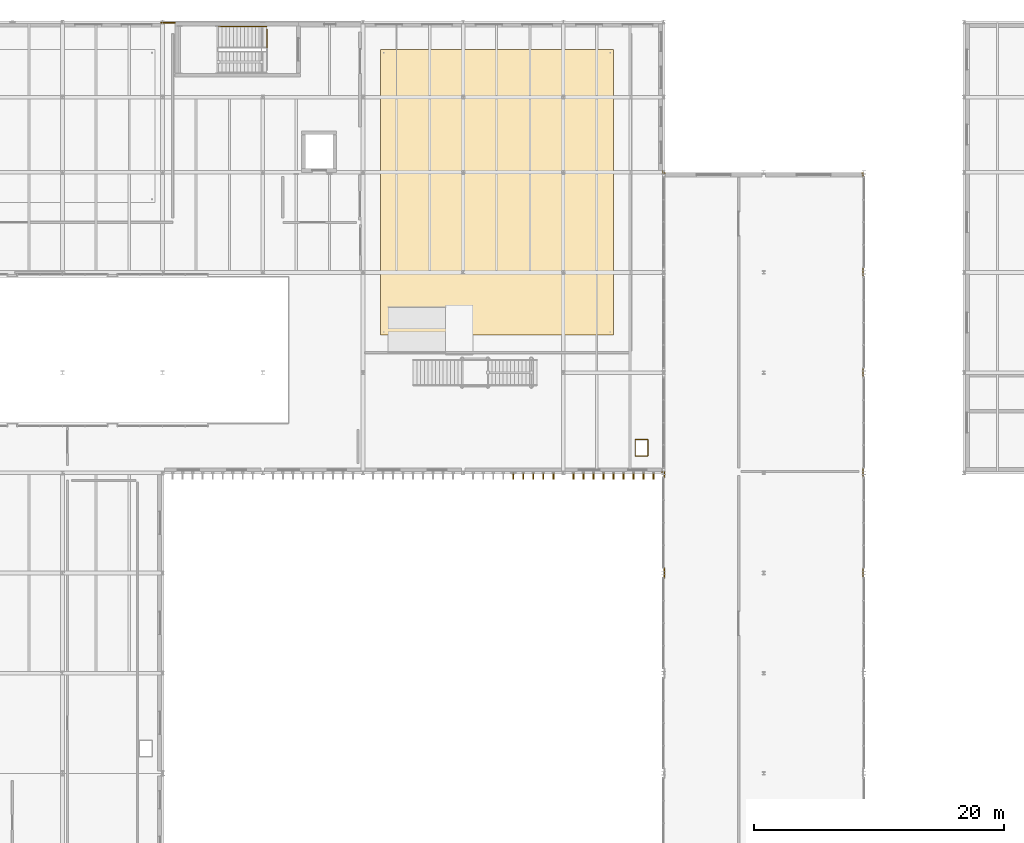
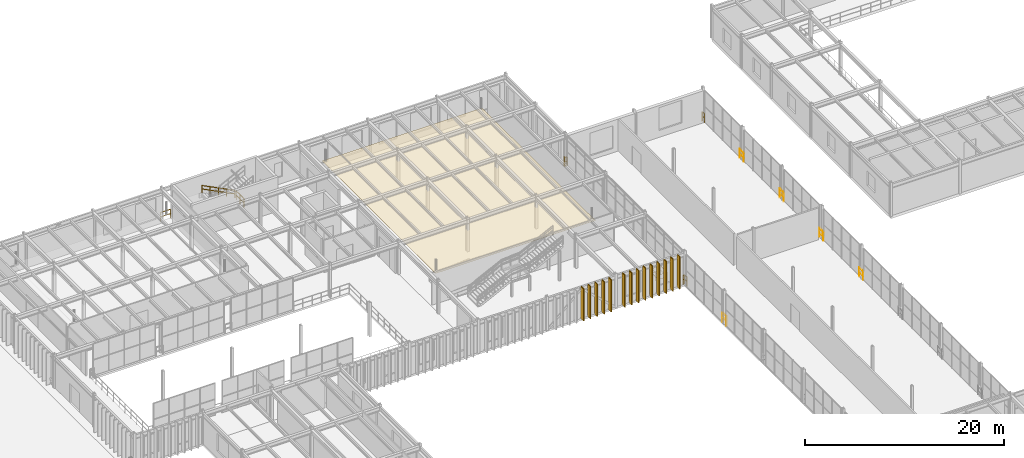
# One storey, part 118 of 122: 15 coverings, 14 shading devices, 12 railings.
"""IFC4 building model written with IfcOpenShell, lengths in metres."""

from ifc_helpers import new_model, si_unit, direction, frame, origin, origin_2d, place, context, subcontext, project, spatial, polyline, rectangle, circle, outline, extrude, material, layer, layer_set, type_object, element, save


model = new_model("IFC4")

# Units and contexts
model_context = context("Model", 3, precision=1e-05, world=origin(), true_north=direction((0.0, 1.0)))
body_context = subcontext(model_context, "Body", "Model", "MODEL_VIEW")
ifc_project = project(units=[si_unit("LENGTHUNIT", "METRE"), si_unit("AREAUNIT", "SQUARE_METRE"), si_unit("VOLUMEUNIT", "CUBIC_METRE"), si_unit("PLANEANGLEUNIT", "RADIAN"), si_unit("MASSUNIT", "GRAM", prefix="KILO")], contexts=[model_context])

# Site, building, storey
site_placement = place(None, origin())
site = spatial("IfcSite", under=ifc_project, at=site_placement, CompositionType="ELEMENT")
building_placement = place(site_placement, origin())
building = spatial("IfcBuilding", under=site, at=building_placement, Name="Sundkrona Museum", CompositionType="ELEMENT")
storey_placement = place(building_placement, frame((0.0, 0.0, 5.39990234375)))
storey = spatial("IfcBuildingStorey", under=building, at=storey_placement, Name="L01", CompositionType="ELEMENT", Elevation=5.39990234375)

# Coverings
ifc_material_1 = material(Name="Perforated Acoustic Gypsum and Mineral Wool Ceiling", Category="other")
ifc_layer_1 = layer(ifc_material_1, 0.0400390625)
ifc_layer_set_1 = layer_set([ifc_layer_1], Name="Perforated Acoustic Gypsum and Mineral Wool Ceiling")
covering_type_1 = type_object("IfcCoveringType", Name="COV-CEIL-AC", PredefinedType="CEILING", material=ifc_layer_set_1)
covering_placement = place(storey_placement, frame((0.0, 0.0, 2.550048828125)))
element("IfcCovering", 1, at=covering_placement, inside=storey, type_object=covering_type_1, Name="L01 Graphic Arts Cabinet Acoustic Ceiling", PredefinedType="CEILING", context=body_context, shape_type="SweptSolid", body=[
    extrude(outline(polyline([(57.39990234375, 89.0), (76.0, 89.0), (76.0, 111.800048828125), (57.39990234375, 111.800048828125), (57.39990234375, 89.0)])), origin(), (0.0, 0.0, 1.0), 0.0400390625),
])
ifc_material_2 = material(Name="Frost-Resistant Vitrified Stoneware Mosaic Cladding", Category="masonry")
ifc_layer_2 = layer(ifc_material_2, 0.044921875)
ifc_layer_set_2 = layer_set([ifc_layer_2], Name="Frost-Resistant Vitrified Stoneware Mosaic Cladding")
covering_type_2 = type_object("IfcCoveringType", Name="COV-CLD-MOS", PredefinedType="CLADDING", material=ifc_layer_set_2)
for number, where, z_axis, x_axis, name in (
    (2, (68.0, 77.7451171875, 0.0), (0.0, 0.0, 1.0), (1.0, 0.0, 0.0), "L01 Vitrified Ceramic Brise-Soleil Casing S-041"),
    (3, (68.800048828125, 77.7451171875, 0.0), (0.0, 0.0, 1.0), (1.0, 0.0, 0.0), "L01 Vitrified Ceramic Brise-Soleil Casing S-042"),
    (4, (69.60009765625, 77.7451171875, 0.0), (0.0, 0.0, 1.0), (1.0, 0.0, 0.0), "L01 Vitrified Ceramic Brise-Soleil Casing S-043"),
    (5, (70.39990234375, 77.7451171875, 0.0), (0.0, 0.0, 1.0), (1.0, 0.0, 0.0), "L01 Vitrified Ceramic Brise-Soleil Casing S-044"),
    (6, (71.199951171875, 77.7451171875, 0.0), (0.0, 0.0, 1.0), (1.0, 0.0, 0.0), "L01 Vitrified Ceramic Brise-Soleil Casing S-045"),
    (7, (72.800048828125, 77.7451171875, 0.0), (0.0, 0.0, 1.0), (1.0, 0.0, 0.0), "L01 Vitrified Ceramic Brise-Soleil Casing S-046"),
    (8, (73.60009765625, 77.7451171875, 0.0), (0.0, 0.0, 1.0), (1.0, 0.0, 0.0), "L01 Vitrified Ceramic Brise-Soleil Casing S-047"),
    (9, (74.39990234375, 77.7451171875, 0.0), (0.0, 0.0, 1.0), (1.0, 0.0, 0.0), "L01 Vitrified Ceramic Brise-Soleil Casing S-048"),
    (10, (75.199951171875, 77.7451171875, 0.0), (0.0, 0.0, 1.0), (1.0, 0.0, 0.0), "L01 Vitrified Ceramic Brise-Soleil Casing S-049"),
    (11, (76.0, 77.7451171875, 0.0), (0.0, 0.0, 1.0), (1.0, 0.0, 0.0), "L01 Vitrified Ceramic Brise-Soleil Casing S-050"),
    (12, (76.800048828125, 77.7451171875, 0.0), (0.0, 0.0, 1.0), (1.0, 0.0, 0.0), "L01 Vitrified Ceramic Brise-Soleil Casing S-051"),
    (13, (77.60009765625, 77.7451171875, 0.0), (0.0, 0.0, 1.0), (1.0, 0.0, 0.0), "L01 Vitrified Ceramic Brise-Soleil Casing S-052"),
    (14, (78.39990234375, 77.7451171875, 0.0), (0.0, 0.0, 1.0), (1.0, 0.0, 0.0), "L01 Vitrified Ceramic Brise-Soleil Casing S-053"),
    (15, (79.199951171875, 77.7451171875, 0.0), (0.0, 0.0, 1.0), (1.0, 0.0, 0.0), "L01 Vitrified Ceramic Brise-Soleil Casing S-054"),
):
    element("IfcCovering", number, at=place(storey_placement, frame(where, z_axis=z_axis, x_axis=x_axis)), inside=storey, type_object=covering_type_2, Name=name, PredefinedType="CLADDING", context=body_context, shape_type="SweptSolid", body=[
        extrude(rectangle(XDim=0.110107421875, YDim=0.530029296875, at=origin_2d()), origin(), (0.0, 0.0, 1.0), 3.9599609375),
    ])

# Shading devices
ifc_material_3 = material(Name="Vitrified Stoneware Ceramic on Galvanised Steel Core", Category="masonry")
ifc_layer_3 = layer(ifc_material_3, 0.080078125)
ifc_layer_set_3 = layer_set([ifc_layer_3], Name="Vitrified Stoneware Ceramic on Galvanised Steel Core")
shading_device_type = type_object("IfcShadingDeviceType", Name="FIN-CER-520", PredefinedType="USERDEFINED", material=ifc_layer_set_3)
for number, where, z_axis, x_axis, name in (
    (16, (68.0, 77.739990234375, 0.0), (0.0, 0.0, 1.0), (1.0, 0.0, 0.0), "L01 Ceramic Brise-Soleil Fin S-041"),
    (17, (68.800048828125, 77.739990234375, 0.0), (0.0, 0.0, 1.0), (1.0, 0.0, 0.0), "L01 Ceramic Brise-Soleil Fin S-042"),
    (18, (69.60009765625, 77.739990234375, 0.0), (0.0, 0.0, 1.0), (1.0, 0.0, 0.0), "L01 Ceramic Brise-Soleil Fin S-043"),
    (19, (70.39990234375, 77.739990234375, 0.0), (0.0, 0.0, 1.0), (1.0, 0.0, 0.0), "L01 Ceramic Brise-Soleil Fin S-044"),
    (20, (71.199951171875, 77.739990234375, 0.0), (0.0, 0.0, 1.0), (1.0, 0.0, 0.0), "L01 Ceramic Brise-Soleil Fin S-045"),
    (21, (72.800048828125, 77.739990234375, 0.0), (0.0, 0.0, 1.0), (1.0, 0.0, 0.0), "L01 Ceramic Brise-Soleil Fin S-046"),
    (22, (73.60009765625, 77.739990234375, 0.0), (0.0, 0.0, 1.0), (1.0, 0.0, 0.0), "L01 Ceramic Brise-Soleil Fin S-047"),
    (23, (74.39990234375, 77.739990234375, 0.0), (0.0, 0.0, 1.0), (1.0, 0.0, 0.0), "L01 Ceramic Brise-Soleil Fin S-048"),
    (24, (75.199951171875, 77.739990234375, 0.0), (0.0, 0.0, 1.0), (1.0, 0.0, 0.0), "L01 Ceramic Brise-Soleil Fin S-049"),
    (25, (76.0, 77.739990234375, 0.0), (0.0, 0.0, 1.0), (1.0, 0.0, 0.0), "L01 Ceramic Brise-Soleil Fin S-050"),
    (26, (76.800048828125, 77.739990234375, 0.0), (0.0, 0.0, 1.0), (1.0, 0.0, 0.0), "L01 Ceramic Brise-Soleil Fin S-051"),
    (27, (77.60009765625, 77.739990234375, 0.0), (0.0, 0.0, 1.0), (1.0, 0.0, 0.0), "L01 Ceramic Brise-Soleil Fin S-052"),
    (28, (78.39990234375, 77.739990234375, 0.0), (0.0, 0.0, 1.0), (1.0, 0.0, 0.0), "L01 Ceramic Brise-Soleil Fin S-053"),
    (29, (79.199951171875, 77.739990234375, 0.0), (0.0, 0.0, 1.0), (1.0, 0.0, 0.0), "L01 Ceramic Brise-Soleil Fin S-054"),
):
    element("IfcShadingDevice", number, at=place(storey_placement, frame(where, z_axis=z_axis, x_axis=x_axis)), inside=storey, type_object=shading_device_type, Name=name, ObjectType="SOLAR FIN", PredefinedType="USERDEFINED", context=body_context, shape_type="SweptSolid", body=[
        extrude(rectangle(XDim=0.080078125, YDim=0.52001953125, at=origin_2d()), origin(), (0.0, 0.0, 1.0), 3.9599609375),
    ])

# Railings
ifc_material_4 = material(Name="Painted Steel S355J2 and Laminated Glass Balustrade", Category="steel")
railing_type_1 = type_object("IfcRailingType", Name="RL-GUARD-1100", PredefinedType="BALUSTRADE", material=ifc_material_4)
railing_1_placement = place(storey_placement, frame((39.85791015625, 113.93994140625, 0.0)))
element("IfcRailing", 30, at=railing_1_placement, inside=storey, type_object=railing_type_1, Name="L01 Edge Protection Balustrade 016", PredefinedType="BALUSTRADE", context=body_context, shape_type="SweptSolid", body=[
    extrude(circle(Radius=0.02392578125, at=origin_2d()), frame((0.0, 0.0, 1.09619140625), z_axis=(1.0, 0.0, 0.0), x_axis=(0.0, 1.0, 0.0)), (0.0, 0.0, 1.0), 1.14208984375),
    extrude(circle(Radius=0.02392578125, at=origin_2d()), frame((0.0, 0.0, 0.56005859375), z_axis=(1.0, 0.0, 0.0), x_axis=(0.0, 1.0, 0.0)), (0.0, 0.0, 1.0), 1.14208984375),
    extrude(circle(Radius=0.02099609375, at=origin_2d()), origin(), (0.0, 0.0, 1.0), 1.072021484375),
    extrude(circle(Radius=0.02099609375, at=origin_2d()), frame((1.14208984375, 0.0, 0.0)), (0.0, 0.0, 1.0), 1.072021484375),
])
railing_2_placement = place(storey_placement, frame((48.3349609375, 111.89990234375, 0.0)))
element("IfcRailing", 31, at=railing_2_placement, inside=storey, type_object=railing_type_1, Name="L01 Edge Protection Balustrade 021", PredefinedType="BALUSTRADE", context=body_context, shape_type="SweptSolid", body=[
    extrude(circle(Radius=0.02392578125, at=origin_2d()), frame((0.0, 0.0, 1.09619140625), z_axis=(0.0, 1.0, 0.0), x_axis=(-1.0, 0.0, 0.0)), (0.0, 0.0, 1.0), 1.52001953125),
    extrude(circle(Radius=0.02392578125, at=origin_2d()), frame((0.0, 0.0, 0.56005859375), z_axis=(0.0, 1.0, 0.0), x_axis=(-1.0, 0.0, 0.0)), (0.0, 0.0, 1.0), 1.52001953125),
    extrude(circle(Radius=0.02099609375, at=origin_2d()), origin(), (0.0, 0.0, 1.0), 1.072021484375),
    extrude(circle(Radius=0.02099609375, at=origin_2d()), frame((0.0, 0.760009765625, 0.0)), (0.0, 0.0, 1.0), 1.072021484375),
    extrude(circle(Radius=0.02099609375, at=origin_2d()), frame((0.0, 1.52001953125, 0.0)), (0.0, 0.0, 1.0), 1.072021484375),
])
railing_3_placement = place(storey_placement, frame((78.760009765625, 80.659912109375, 0.0)))
element("IfcRailing", 32, at=railing_3_placement, inside=storey, type_object=railing_type_1, Name="L01 Edge Protection Balustrade 022", PredefinedType="BALUSTRADE", context=body_context, shape_type="SweptSolid", body=[
    extrude(circle(Radius=0.02392578125, at=origin_2d()), frame((0.0, 0.0, 1.09619140625), z_axis=(-1.0, 0.0, 0.0), x_axis=(0.0, -1.0, 0.0)), (0.0, 0.0, 1.0), 1.02001953125),
    extrude(circle(Radius=0.02392578125, at=origin_2d()), frame((0.0, 0.0, 0.56005859375), z_axis=(-1.0, 0.0, 0.0), x_axis=(0.0, -1.0, 0.0)), (0.0, 0.0, 1.0), 1.02001953125),
    extrude(circle(Radius=0.02392578125, at=origin_2d()), frame((-1.02001953125, 0.0, 1.09619140625), z_axis=(0.0, -1.0, 0.0), x_axis=(1.0, 0.0, 0.0)), (0.0, 0.0, 1.0), 1.31982421875),
    extrude(circle(Radius=0.02392578125, at=origin_2d()), frame((-1.02001953125, 0.0, 0.56005859375), z_axis=(0.0, -1.0, 0.0), x_axis=(1.0, 0.0, 0.0)), (0.0, 0.0, 1.0), 1.31982421875),
    extrude(circle(Radius=0.02392578125, at=origin_2d()), frame((-1.02001953125, -1.31982421875, 1.09619140625), z_axis=(1.0, 0.0, 0.0), x_axis=(0.0, 1.0, 0.0)), (0.0, 0.0, 1.0), 1.02001953125),
    extrude(circle(Radius=0.02392578125, at=origin_2d()), frame((-1.02001953125, -1.31982421875, 0.56005859375), z_axis=(1.0, 0.0, 0.0), x_axis=(0.0, 1.0, 0.0)), (0.0, 0.0, 1.0), 1.02001953125),
    extrude(circle(Radius=0.02392578125, at=origin_2d()), frame((0.0, -1.31982421875, 1.09619140625), z_axis=(0.0, 1.0, 0.0), x_axis=(-1.0, 0.0, 0.0)), (0.0, 0.0, 1.0), 1.31982421875),
    extrude(circle(Radius=0.02392578125, at=origin_2d()), frame((0.0, -1.31982421875, 0.56005859375), z_axis=(0.0, 1.0, 0.0), x_axis=(-1.0, 0.0, 0.0)), (0.0, 0.0, 1.0), 1.31982421875),
    extrude(circle(Radius=0.02099609375, at=origin_2d()), origin(), (0.0, 0.0, 1.0), 1.072021484375),
    extrude(circle(Radius=0.02099609375, at=origin_2d()), frame((-1.02001953125, 0.0, 0.0)), (0.0, 0.0, 1.0), 1.072021484375),
    extrude(circle(Radius=0.02099609375, at=origin_2d()), frame((-1.02001953125, -0.659912109375, 0.0)), (0.0, 0.0, 1.0), 1.072021484375),
    extrude(circle(Radius=0.02099609375, at=origin_2d()), frame((-1.02001953125, -1.31982421875, 0.0)), (0.0, 0.0, 1.0), 1.072021484375),
    extrude(circle(Radius=0.02099609375, at=origin_2d()), frame((0.0, -1.31982421875, 0.0)), (0.0, 0.0, 1.0), 1.072021484375),
    extrude(circle(Radius=0.02099609375, at=origin_2d()), frame((0.0, -0.659912109375, 0.0)), (0.0, 0.0, 1.0), 1.072021484375),
])
railing_4_placement = place(storey_placement, frame((80.06005859375, 77.60009765625, 0.0)))
element("IfcRailing", 33, at=railing_4_placement, inside=storey, type_object=railing_type_1, Name="L01 Edge Protection Balustrade 023", PredefinedType="BALUSTRADE", context=body_context, shape_type="SweptSolid", body=[
    extrude(circle(Radius=0.02392578125, at=origin_2d()), frame((0.0, 0.0, 1.09619140625), z_axis=(0.0, 1.0, 0.0), x_axis=(-1.0, 0.0, 0.0)), (0.0, 0.0, 1.0), 0.4599609375),
    extrude(circle(Radius=0.02392578125, at=origin_2d()), frame((0.0, 0.0, 0.56005859375), z_axis=(0.0, 1.0, 0.0), x_axis=(-1.0, 0.0, 0.0)), (0.0, 0.0, 1.0), 0.4599609375),
    extrude(circle(Radius=0.02392578125, at=origin_2d()), frame((0.0, 0.4599609375, 1.09619140625), z_axis=(-1.0, 0.0, 0.0), x_axis=(0.0, -1.0, 0.0)), (0.0, 0.0, 1.0), 0.2021484375),
    extrude(circle(Radius=0.02392578125, at=origin_2d()), frame((0.0, 0.4599609375, 0.56005859375), z_axis=(-1.0, 0.0, 0.0), x_axis=(0.0, -1.0, 0.0)), (0.0, 0.0, 1.0), 0.2021484375),
    extrude(circle(Radius=0.02099609375, at=origin_2d()), origin(), (0.0, 0.0, 1.0), 1.072021484375),
    extrude(circle(Radius=0.02099609375, at=origin_2d()), frame((0.0, 0.4599609375, 0.0)), (0.0, 0.0, 1.0), 1.072021484375),
    extrude(circle(Radius=0.02099609375, at=origin_2d()), frame((-0.2021484375, 0.4599609375, 0.0)), (0.0, 0.0, 1.0), 1.072021484375),
])
railing_5_placement = place(storey_placement, frame((79.93994140625, 102.14208984375, 0.0)))
element("IfcRailing", 34, at=railing_5_placement, inside=storey, type_object=railing_type_1, Name="L01 Edge Protection Balustrade 024", PredefinedType="BALUSTRADE", context=body_context, shape_type="SweptSolid", body=[
    extrude(circle(Radius=0.02392578125, at=origin_2d()), frame((0.0, 0.0, 1.09619140625), z_axis=(0.0, -1.0, 0.0), x_axis=(1.0, 0.0, 0.0)), (0.0, 0.0, 1.0), 0.2021484375),
    extrude(circle(Radius=0.02392578125, at=origin_2d()), frame((0.0, 0.0, 0.56005859375), z_axis=(0.0, -1.0, 0.0), x_axis=(1.0, 0.0, 0.0)), (0.0, 0.0, 1.0), 0.2021484375),
    extrude(circle(Radius=0.02392578125, at=origin_2d()), frame((0.0, -0.2021484375, 1.09619140625), z_axis=(1.0, 0.0, 0.0), x_axis=(0.0, 1.0, 0.0)), (0.0, 0.0, 1.0), 0.2021484375),
    extrude(circle(Radius=0.02392578125, at=origin_2d()), frame((0.0, -0.2021484375, 0.56005859375), z_axis=(1.0, 0.0, 0.0), x_axis=(0.0, 1.0, 0.0)), (0.0, 0.0, 1.0), 0.2021484375),
    extrude(circle(Radius=0.02099609375, at=origin_2d()), origin(), (0.0, 0.0, 1.0), 1.072021484375),
    extrude(circle(Radius=0.02099609375, at=origin_2d()), frame((0.0, -0.2021484375, 0.0)), (0.0, 0.0, 1.0), 1.072021484375),
    extrude(circle(Radius=0.02099609375, at=origin_2d()), frame((0.2021484375, -0.2021484375, 0.0)), (0.0, 0.0, 1.0), 1.072021484375),
])
railing_6_placement = place(storey_placement, frame((80.06005859375, 69.60009765625, 0.0)))
element("IfcRailing", 35, at=railing_6_placement, inside=storey, type_object=railing_type_1, Name="L01 Edge Protection Balustrade 034", PredefinedType="BALUSTRADE", context=body_context, shape_type="SweptSolid", body=[
    extrude(circle(Radius=0.02392578125, at=origin_2d()), frame((0.0, 0.0, 1.09619140625), z_axis=(0.0, 1.0, 0.0), x_axis=(-1.0, 0.0, 0.0)), (0.0, 0.0, 1.0), 0.7998046875),
    extrude(circle(Radius=0.02392578125, at=origin_2d()), frame((0.0, 0.0, 0.56005859375), z_axis=(0.0, 1.0, 0.0), x_axis=(-1.0, 0.0, 0.0)), (0.0, 0.0, 1.0), 0.7998046875),
    extrude(circle(Radius=0.02099609375, at=origin_2d()), origin(), (0.0, 0.0, 1.0), 1.072021484375),
    extrude(circle(Radius=0.02099609375, at=origin_2d()), frame((0.0, 0.7998046875, 0.0)), (0.0, 0.0, 1.0), 1.072021484375),
])
railing_7_placement = place(storey_placement, frame((95.85791015625, 101.93994140625, 0.0)))
element("IfcRailing", 36, at=railing_7_placement, inside=storey, type_object=railing_type_1, Name="L01 Edge Protection Balustrade 040", PredefinedType="BALUSTRADE", context=body_context, shape_type="SweptSolid", body=[
    extrude(circle(Radius=0.02392578125, at=origin_2d()), frame((0.0, 0.0, 1.09619140625), z_axis=(1.0, 0.0, 0.0), x_axis=(0.0, 1.0, 0.0)), (0.0, 0.0, 1.0), 0.08203125),
    extrude(circle(Radius=0.02392578125, at=origin_2d()), frame((0.0, 0.0, 0.56005859375), z_axis=(1.0, 0.0, 0.0), x_axis=(0.0, 1.0, 0.0)), (0.0, 0.0, 1.0), 0.08203125),
    extrude(circle(Radius=0.02392578125, at=origin_2d()), frame((0.08203125, 0.0, 1.09619140625), z_axis=(0.0, -1.0, 0.0), x_axis=(1.0, 0.0, 0.0)), (0.0, 0.0, 1.0), 0.33984375),
    extrude(circle(Radius=0.02392578125, at=origin_2d()), frame((0.08203125, 0.0, 0.56005859375), z_axis=(0.0, -1.0, 0.0), x_axis=(1.0, 0.0, 0.0)), (0.0, 0.0, 1.0), 0.33984375),
    extrude(circle(Radius=0.02099609375, at=origin_2d()), origin(), (0.0, 0.0, 1.0), 1.072021484375),
    extrude(circle(Radius=0.02099609375, at=origin_2d()), frame((0.08203125, 0.0, 0.0)), (0.0, 0.0, 1.0), 1.072021484375),
    extrude(circle(Radius=0.02099609375, at=origin_2d()), frame((0.08203125, -0.33984375, 0.0)), (0.0, 0.0, 1.0), 1.072021484375),
])
for number, where, name in (
    (37, (95.93994140625, 70.39990234375, 0.0), "L01 Edge Protection Balustrade 045"),
    (38, (95.93994140625, 78.39990234375, 0.0), "L01 Edge Protection Balustrade 046"),
    (39, (95.93994140625, 86.39990234375, 0.0), "L01 Edge Protection Balustrade 047"),
    (40, (95.93994140625, 94.39990234375, 0.0), "L01 Edge Protection Balustrade 048"),
):
    element("IfcRailing", number, at=place(storey_placement, frame(where)), inside=storey, type_object=railing_type_1, Name=name, PredefinedType="BALUSTRADE", context=body_context, shape_type="SweptSolid", body=[
        extrude(circle(Radius=0.02392578125, at=origin_2d()), frame((0.0, 0.0, 1.09619140625), z_axis=(0.0, -1.0, 0.0), x_axis=(1.0, 0.0, 0.0)), (0.0, 0.0, 1.0), 0.7998046875),
        extrude(circle(Radius=0.02392578125, at=origin_2d()), frame((0.0, 0.0, 0.56005859375), z_axis=(0.0, -1.0, 0.0), x_axis=(1.0, 0.0, 0.0)), (0.0, 0.0, 1.0), 0.7998046875),
        extrude(circle(Radius=0.02099609375, at=origin_2d()), origin(), (0.0, 0.0, 1.0), 1.072021484375),
        extrude(circle(Radius=0.02099609375, at=origin_2d()), frame((0.0, -0.7998046875, 0.0)), (0.0, 0.0, 1.0), 1.072021484375),
    ])
ifc_material_5 = material(Name="Brushed Bronze-Clad Steel Handrail", Category="steel")
railing_type_2 = type_object("IfcRailingType", Name="RL-HAND-900", PredefinedType="HANDRAIL", material=ifc_material_5)
railing_8_placement = place(storey_placement, frame((48.300048828125, 113.64990234375, 0.150146484375)))
element("IfcRailing", 41, at=railing_8_placement, inside=storey, type_object=railing_type_2, Name="L01 ST-3 stair handrail 1", PredefinedType="HANDRAIL", context=body_context, shape_type="SweptSolid", body=[
    extrude(circle(Radius=0.02392578125, at=origin_2d()), frame((0.0, 0.0, 0.8759765625), z_axis=(-0.891387850335, 0.0, 0.453241326752), x_axis=(0.0, -1.0, 0.0)), (0.0, 0.0, 1.0), 4.30224609375),
    extrude(circle(Radius=0.02392578125, at=origin_2d()), frame((0.0, 0.0, 0.449951171875), z_axis=(-0.891387850335, 0.0, 0.453241326752), x_axis=(0.0, -1.0, 0.0)), (0.0, 0.0, 1.0), 4.30224609375),
    extrude(circle(Radius=0.02099609375, at=origin_2d()), origin(), (0.0, 0.0, 1.0), 0.851806640625),
    extrude(circle(Radius=0.02099609375, at=origin_2d()), frame((-0.958740234375, 0.0, 0.487548828125)), (0.0, 0.0, 1.0), 0.851806640625),
    extrude(circle(Radius=0.02099609375, at=origin_2d()), frame((-1.91748046875, 0.0, 0.97509765625)), (0.0, 0.0, 1.0), 0.851806640625),
    extrude(circle(Radius=0.02099609375, at=origin_2d()), frame((-2.876220703125, 0.0, 1.46240234375)), (0.0, 0.0, 1.0), 0.851806640625),
    extrude(circle(Radius=0.02099609375, at=origin_2d()), frame((-3.8349609375, 0.0, 1.949951171875)), (0.0, 0.0, 1.0), 0.851806640625),
])

save(model, "model.ifc")
